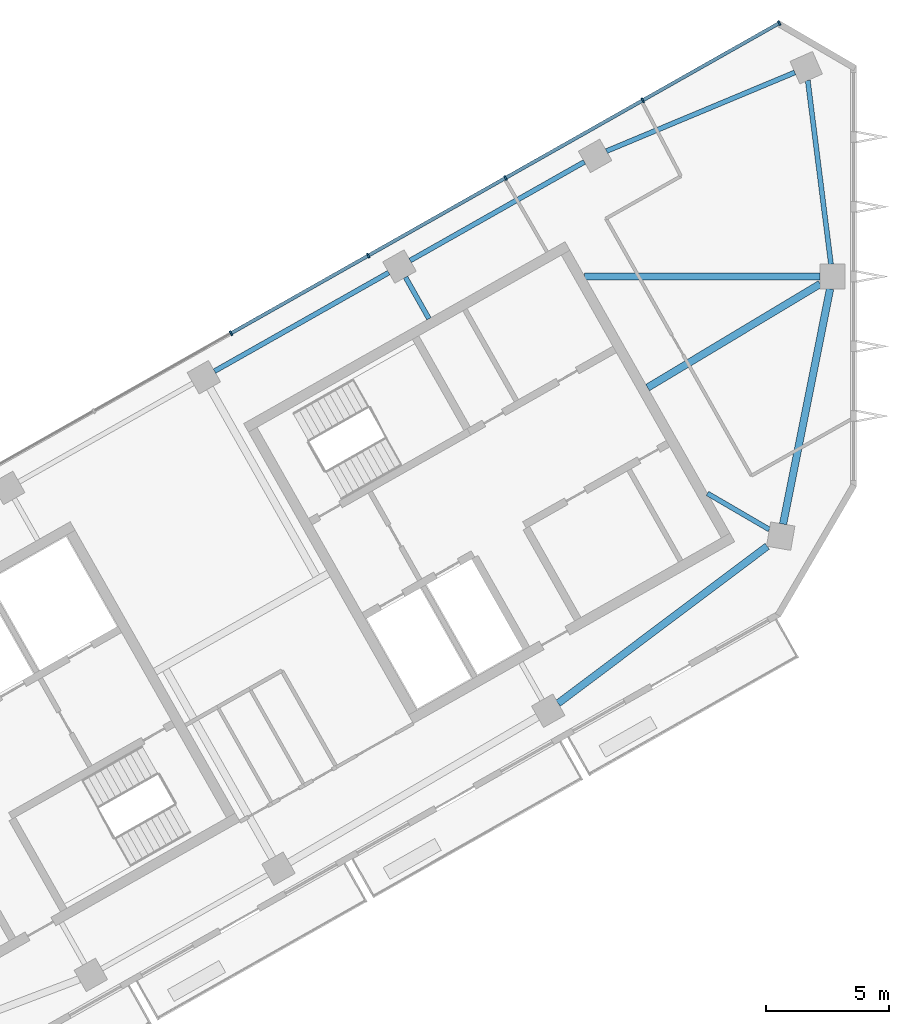
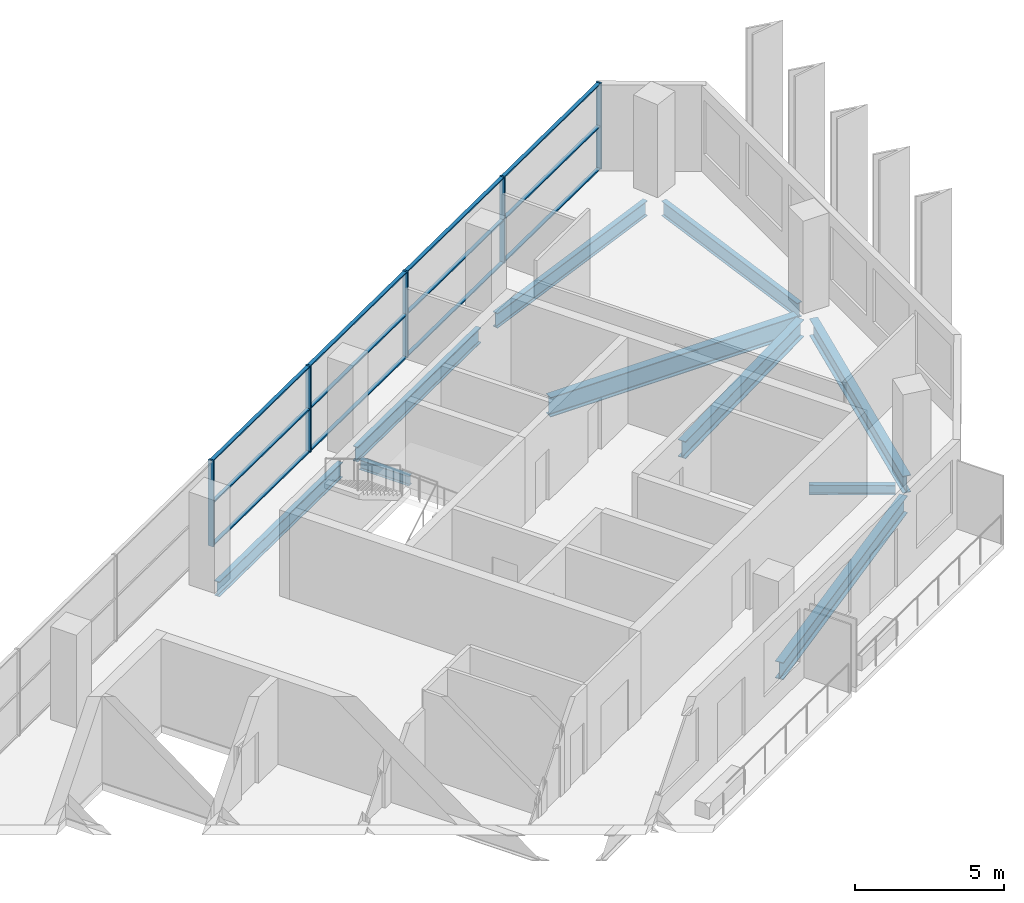
# One storey, part 4 of 10: 17 members, 10 beams, 1 element without a shape of its own.
"""IFC4 building model written with IfcOpenShell, lengths in metres."""

import ifcopenshell
import ifcopenshell.guid

model = None  # the IFC model being written
_history = None  # IfcOwnerHistory: only IFC2X3 demands one
_inside = {}  # id of a spatial element -> (the spatial element, [elements in it])
_under = {}  # id of a project, library or spatial element -> (it, [spatial elements below it])
_declared = {}  # id of a project -> (the project, [libraries it declares])
_typed = {}  # id of a type object -> (the type object, [elements of that type])
_made_of = {}  # id of a material, layer set ... -> (it, [elements and type objects made of it])


def new_model(schema):
    """Start an empty IFC model of exactly this schema.

    Asked for "IFC4X3", IfcOpenShell would pick the latest addendum, in which some entities
    have other attributes; the version numbers below select the first issue.
    IFC2X3 requires an IfcOwnerHistory on every rooted entity: one is made here for all.
    """
    global model, _history
    if schema == "IFC4X3":
        model = ifcopenshell.file(schema_version=(4, 3, 0, 0))
    else:
        model = ifcopenshell.file(schema=schema)
    _inside.clear()
    _under.clear()
    _declared.clear()
    _typed.clear()
    _made_of.clear()
    _history = None
    if model.schema == "IFC2X3":
        org = make("IfcOrganization", Name="unknown")
        user = make(
            "IfcPersonAndOrganization",
            ThePerson=make("IfcPerson", FamilyName="unknown"),
            TheOrganization=org,
        )
        app = make(
            "IfcApplication",
            ApplicationDeveloper=org,
            Version="unknown",
            ApplicationFullName="unknown",
            ApplicationIdentifier="unknown",
        )
        _history = make(
            "IfcOwnerHistory",
            OwningUser=user,
            OwningApplication=app,
            ChangeAction="ADDED",
            CreationDate=0,
        )
    return model


def make(cls, **values):
    """One entity of the class cls with the attributes given. An attribute that is None is left unset."""
    return model.create_entity(
        cls, **{name: value for name, value in values.items() if value is not None}
    )


def rooted(cls, **values):
    """An entity with a GlobalId (a new one), such as an element, a storey or a relation."""
    return make(cls, GlobalId=ifcopenshell.guid.new(), OwnerHistory=_history, **values)


def si_unit(unit_type, name, prefix=None):
    """IfcSIUnit, for example si_unit("LENGTHUNIT", "METRE", prefix="MILLI")."""
    return make("IfcSIUnit", UnitType=unit_type, Prefix=prefix, Name=name)


def assignment(units):
    """IfcUnitAssignment: the units of a project."""
    return None if units is None else make("IfcUnitAssignment", Units=units)


def point(xyz):
    """IfcCartesianPoint."""
    return None if xyz is None else make("IfcCartesianPoint", Coordinates=xyz)


def direction(xyz):
    """IfcDirection."""
    return None if xyz is None else make("IfcDirection", DirectionRatios=xyz)


def frame(location, z_axis=None, x_axis=None):
    """IfcAxis2Placement3D, a coordinate frame: its origin and axes. An axis left out is left unset."""
    return make(
        "IfcAxis2Placement3D",
        Location=point(location),
        Axis=direction(z_axis),
        RefDirection=direction(x_axis),
    )


def frame_2d(location, x_axis=None):
    """IfcAxis2Placement2D, a coordinate frame in the plane: its origin and x axis."""
    return make(
        "IfcAxis2Placement2D", Location=point(location), RefDirection=direction(x_axis)
    )


def origin():
    """The frame at (0, 0, 0) with its axes left unset."""
    return frame((0.0, 0.0, 0.0))


def origin_2d():
    """The frame at (0, 0) in the plane with its x axis left unset."""
    return frame_2d((0.0, 0.0))


def place(relative_to, where):
    """IfcLocalPlacement: puts the frame where relative to a parent placement (None: the world)."""
    return make(
        "IfcLocalPlacement", PlacementRelTo=relative_to, RelativePlacement=where
    )


def context(
    kind, dimensions, precision=None, world=None, true_north=None, identifier=None
):
    """IfcGeometricRepresentationContext, for example the 3D "Model" context."""
    return make(
        "IfcGeometricRepresentationContext",
        ContextIdentifier=identifier,
        ContextType=kind,
        CoordinateSpaceDimension=dimensions,
        Precision=precision,
        WorldCoordinateSystem=world,
        TrueNorth=true_north,
    )


def subcontext(parent, identifier, kind, view, scale=None):
    """IfcGeometricRepresentationSubContext, for example "Body" below "Model"."""
    return make(
        "IfcGeometricRepresentationSubContext",
        ContextIdentifier=identifier,
        ContextType=kind,
        ParentContext=parent,
        TargetScale=scale,
        TargetView=view,
    )


def project(units=None, contexts=None):
    """IfcProject with its units and contexts."""
    return rooted(
        "IfcProject",
        Name="project",
        RepresentationContexts=contexts,
        UnitsInContext=assignment(units),
    )


def spatial(cls, under=None, at=None, **own):
    """A site, building, storey or space (cls), placed at a placement, below another one or the project."""
    s = rooted(cls, ObjectPlacement=at, **own)
    if under is not None:
        _under.setdefault(under.id(), (under, []))[1].append(s)
    return s


def profile(cls, at=None, kind="AREA", **sizes):
    """A parametric profile (cls). Its sizes go by their IFC names, for example OverallWidth=200.0."""
    return make(cls, ProfileType=kind, Position=at, **sizes)


def rectangle(**sizes):
    """IfcRectangleProfileDef."""
    return profile("IfcRectangleProfileDef", **sizes)


def i_section(**sizes):
    """IfcIShapeProfileDef."""
    return profile("IfcIShapeProfileDef", **sizes)


def extrude(swept, where, along, depth):
    """IfcExtrudedAreaSolid: the profile swept, set in the frame where, extruded along a direction by depth."""
    return make(
        "IfcExtrudedAreaSolid",
        SweptArea=swept,
        Position=where,
        ExtrudedDirection=direction(along),
        Depth=depth,
    )


def shape(context_of_items, identifier, shape_type, items):
    """IfcShapeRepresentation: the items that make up one representation, for example the "Body"."""
    return make(
        "IfcShapeRepresentation",
        ContextOfItems=context_of_items,
        RepresentationIdentifier=identifier,
        RepresentationType=shape_type,
        Items=items,
    )


def material(Name=None, Category=None):
    """IfcMaterial."""
    return make("IfcMaterial", Name=Name, Category=Category)


def material_profile(
    of_material, cross_section, Name=None, Category=None, Priority=None
):
    """IfcMaterialProfile: a cross section and its material."""
    return make(
        "IfcMaterialProfile",
        Name=Name,
        Material=of_material,
        Profile=cross_section,
        Priority=Priority,
        Category=Category,
    )


def profile_set(profiles, Name=None, composite=None):
    """IfcMaterialProfileSet."""
    return make(
        "IfcMaterialProfileSet",
        Name=Name,
        MaterialProfiles=profiles,
        CompositeProfile=composite,
    )


def made_of(thing, what):
    """Note that an element or type object is made of a material, layer set ...; save() writes the relation."""
    if what is not None:
        _made_of.setdefault(what.id(), (what, []))[1].append(thing)
    return thing


def type_object(cls, material=None, **own):
    """A type object (cls), such as IfcWallType, which elements share."""
    return made_of(rooted(cls, **own), material)


def element(
    cls,
    number,
    at=None,
    inside=None,
    cuts=None,
    type_object=None,
    material=None,
    context=None,
    identifier="Body",
    shape_type=None,
    held_by="IfcProductDefinitionShape",
    body=None,
    shapes=None,
    **own,
):
    """One element of the class cls, such as IfcWall. Its Tag is "e" and its number.

    at: its placement. inside: the storey or other place that contains it. cuts: it is an
    opening in that element (IfcRelVoidsElement). A single representation is given by context,
    identifier, shape_type and body (its items); several are given by shapes. held_by: the class
    of the entity that holds the representations. save() writes the other relations.
    """
    e = rooted(cls, Tag="e%d" % number, ObjectPlacement=at, **own)
    if body is not None:
        shapes = [shape(context, identifier, shape_type, body)]
    if shapes is not None:
        e.Representation = make(held_by, Representations=shapes)
    if inside is not None:
        _inside.setdefault(inside.id(), (inside, []))[1].append(e)
    if cuts is not None:
        rooted(
            "IfcRelVoidsElement", RelatingBuildingElement=cuts, RelatedOpeningElement=e
        )
    if type_object is not None:
        _typed.setdefault(type_object.id(), (type_object, []))[1].append(e)
    return made_of(e, material)


def aggregate(whole, parts):
    """IfcRelAggregates: a whole, such as a stair, and the parts it consists of."""
    return rooted("IfcRelAggregates", RelatingObject=whole, RelatedObjects=parts)


def save(model, path):
    """Write the relations noted so far, then the file.

    IfcRelAggregates (storeys below a building ...), IfcRelContainedInSpatialStructure (elements
    in a storey), IfcRelDefinesByType, IfcRelAssociatesMaterial and IfcRelDeclares: one each for
    every whole, place, type object, material and project.
    """
    for whole, parts in _under.values():
        aggregate(whole, parts)
    for where, things in _inside.values():
        rooted(
            "IfcRelContainedInSpatialStructure",
            RelatedElements=things,
            RelatingStructure=where,
        )
    for kind, things in _typed.values():
        rooted("IfcRelDefinesByType", RelatedObjects=things, RelatingType=kind)
    for what, things in _made_of.values():
        rooted("IfcRelAssociatesMaterial", RelatedObjects=things, RelatingMaterial=what)
    for by, libraries in _declared.values():
        rooted("IfcRelDeclares", RelatingContext=by, RelatedDefinitions=libraries)
    model.write(path)


model = new_model("IFC4")

# Units and contexts
model_context = context("Model", 3, precision=1e-05, world=origin(), true_north=direction((0.0, 1.0)))
body_context = subcontext(model_context, "Body", "Model", "MODEL_VIEW")
ifc_project = project(units=[si_unit("LENGTHUNIT", "METRE"), si_unit("AREAUNIT", "SQUARE_METRE"), si_unit("VOLUMEUNIT", "CUBIC_METRE"), si_unit("PLANEANGLEUNIT", "RADIAN"), si_unit("MASSUNIT", "GRAM", prefix="KILO")], contexts=[model_context])

# Site, building, storey
site_placement = place(None, origin())
site = spatial("IfcSite", under=ifc_project, at=site_placement, CompositionType="ELEMENT")
building_placement = place(site_placement, origin())
building = spatial("IfcBuilding", under=site, at=building_placement, Name="Binnacle Exchange Tower", CompositionType="ELEMENT")
storey_placement = place(building_placement, frame((0.0, 0.0, 324.10009765625)))
storey = spatial("IfcBuildingStorey", under=building, at=storey_placement, Name="L73", CompositionType="ELEMENT", Elevation=324.10009765625)

# Curtain wall, members
ifc_material_1 = material(Name="Bronze anodised aluminium frame", Category="aluminium")
curtain_wall_type = type_object("IfcCurtainWallType", Name="External wall - curtain wall executive floors", PredefinedType="NOTDEFINED", material=ifc_material_1)
curtain_wall_placement = place(storey_placement, origin())
curtain_wall = element("IfcCurtainWall", 1, at=curtain_wall_placement, inside=storey, type_object=curtain_wall_type, Name="External wall curtain wall CW4-H03 L73", PredefinedType="NOTDEFINED")
ifc_material_profile_1 = material_profile(ifc_material_1, rectangle(XDim=0.199951171875, YDim=0.070068359375, at=origin_2d()), Name="AL 70x200")
ifc_profile_set_1 = profile_set([ifc_material_profile_1], Name="Bronze anodised aluminium frame")
member_type_1 = type_object("IfcMemberType", Name="CW4 MULLION 70x200", PredefinedType="MULLION", material=ifc_profile_set_1)
member_1_placement = place(storey_placement, frame((-3.01416015625, 70.294677734375, 0.0), z_axis=(0.0, 0.0, 1.0), x_axis=(0.492423763019, -0.870355581136, 0.0)))
member_1 = element("IfcMember", 2, at=member_1_placement, type_object=member_type_1, Name="CW4-H03 mullion 1", PredefinedType="MULLION", context=body_context, shape_type="SweptSolid", body=[
    extrude(rectangle(XDim=0.199951171875, YDim=0.070068359375, at=origin_2d()), origin(), (0.0, 0.0, 1.0), 3.52001953125),
])
member_2_placement = place(storey_placement, frame((-8.55859375, 67.15771484375, 0.0), z_axis=(0.0, 0.0, 1.0), x_axis=(0.492423763019, -0.870355581136, 0.0)))
member_2 = element("IfcMember", 3, at=member_2_placement, type_object=member_type_1, Name="CW4-H03 mullion 2", PredefinedType="MULLION", context=body_context, shape_type="SweptSolid", body=[
    extrude(rectangle(XDim=0.199951171875, YDim=0.070068359375, at=origin_2d()), origin(), (0.0, 0.0, 1.0), 3.52001953125),
])
member_3_placement = place(storey_placement, frame((-14.13330078125, 64.003662109375, 0.0), z_axis=(0.0, 0.0, 1.0), x_axis=(0.492423763019, -0.870355581136, 0.0)))
member_3 = element("IfcMember", 4, at=member_3_placement, type_object=member_type_1, Name="CW4-H03 mullion 3", PredefinedType="MULLION", context=body_context, shape_type="SweptSolid", body=[
    extrude(rectangle(XDim=0.199951171875, YDim=0.070068359375, at=origin_2d()), origin(), (0.0, 0.0, 1.0), 3.52001953125),
])
member_4_placement = place(storey_placement, frame((-19.708251953125, 60.849609375, 0.0), z_axis=(0.0, 0.0, 1.0), x_axis=(0.492423763019, -0.870355581136, 0.0)))
member_4 = element("IfcMember", 5, at=member_4_placement, type_object=member_type_1, Name="CW4-H03 mullion 4", PredefinedType="MULLION", context=body_context, shape_type="SweptSolid", body=[
    extrude(rectangle(XDim=0.199951171875, YDim=0.070068359375, at=origin_2d()), origin(), (0.0, 0.0, 1.0), 3.52001953125),
])
member_5_placement = place(storey_placement, frame((-25.283203125, 57.695556640625, 0.0), z_axis=(0.0, 0.0, 1.0), x_axis=(0.492423763019, -0.870355581136, 0.0)))
member_5 = element("IfcMember", 6, at=member_5_placement, type_object=member_type_1, Name="CW4-H03 mullion 5", PredefinedType="MULLION", context=body_context, shape_type="SweptSolid", body=[
    extrude(rectangle(XDim=0.199951171875, YDim=0.070068359375, at=origin_2d()), origin(), (0.0, 0.0, 1.0), 3.52001953125),
])
ifc_material_profile_2 = material_profile(ifc_material_1, rectangle(XDim=0.139892578125, YDim=0.050048828125, at=origin_2d()), Name="AL 140x50")
ifc_profile_set_2 = profile_set([ifc_material_profile_2], Name="Bronze anodised aluminium frame")
member_type_2 = type_object("IfcMemberType", Name="CW4 TRANSOM 50x140", PredefinedType="USERDEFINED", material=ifc_profile_set_2)
member_6_placement = place(storey_placement, frame((-3.044677734375, 70.27734375, 0.02490234375), z_axis=(-0.870359957561, -0.492416027637, 0.0), x_axis=(0.492416027637, -0.870359957561, 0.0)))
member_6 = element("IfcMember", 7, at=member_6_placement, type_object=member_type_2, Name="CW4-H03 transom 1.1", ObjectType="TRANSOM", PredefinedType="USERDEFINED", context=body_context, shape_type="SweptSolid", body=[
    extrude(rectangle(XDim=0.139892578125, YDim=0.050048828125, at=origin_2d()), origin(), (0.0, 0.0, 1.0), 6.300048828125),
])
member_7_placement = place(storey_placement, frame((-3.044677734375, 70.27734375, 1.760009765625), z_axis=(-0.870359957561, -0.492416027637, 0.0), x_axis=(0.492416027637, -0.870359957561, 0.0)))
member_7 = element("IfcMember", 8, at=member_7_placement, type_object=member_type_2, Name="CW4-H03 transom 1.2", ObjectType="TRANSOM", PredefinedType="USERDEFINED", context=body_context, shape_type="SweptSolid", body=[
    extrude(rectangle(XDim=0.139892578125, YDim=0.050048828125, at=origin_2d()), origin(), (0.0, 0.0, 1.0), 6.300048828125),
])
member_8_placement = place(storey_placement, frame((-3.044677734375, 70.27734375, 3.494873046875), z_axis=(-0.870359957561, -0.492416027637, 0.0), x_axis=(0.492416027637, -0.870359957561, 0.0)))
member_8 = element("IfcMember", 9, at=member_8_placement, type_object=member_type_2, Name="CW4-H03 transom 1.3", ObjectType="TRANSOM", PredefinedType="USERDEFINED", context=body_context, shape_type="SweptSolid", body=[
    extrude(rectangle(XDim=0.139892578125, YDim=0.050048828125, at=origin_2d()), origin(), (0.0, 0.0, 1.0), 6.300048828125),
])
member_9_placement = place(storey_placement, frame((-8.589111328125, 67.140625, 0.02490234375), z_axis=(-0.870355335808, -0.492424196633, 0.0), x_axis=(0.492424196633, -0.870355335808, 0.0)))
member_9 = element("IfcMember", 10, at=member_9_placement, type_object=member_type_2, Name="CW4-H03 transom 2.1", ObjectType="TRANSOM", PredefinedType="USERDEFINED", context=body_context, shape_type="SweptSolid", body=[
    extrude(rectangle(XDim=0.139892578125, YDim=0.050048828125, at=origin_2d()), origin(), (0.0, 0.0, 1.0), 6.335205078125),
])
member_10_placement = place(storey_placement, frame((-8.589111328125, 67.140625, 1.760009765625), z_axis=(-0.870355335808, -0.492424196633, 0.0), x_axis=(0.492424196633, -0.870355335808, 0.0)))
member_10 = element("IfcMember", 11, at=member_10_placement, type_object=member_type_2, Name="CW4-H03 transom 2.2", ObjectType="TRANSOM", PredefinedType="USERDEFINED", context=body_context, shape_type="SweptSolid", body=[
    extrude(rectangle(XDim=0.139892578125, YDim=0.050048828125, at=origin_2d()), origin(), (0.0, 0.0, 1.0), 6.335205078125),
])
member_11_placement = place(storey_placement, frame((-8.589111328125, 67.140625, 3.494873046875), z_axis=(-0.870355335808, -0.492424196633, 0.0), x_axis=(0.492424196633, -0.870355335808, 0.0)))
member_11 = element("IfcMember", 12, at=member_11_placement, type_object=member_type_2, Name="CW4-H03 transom 2.3", ObjectType="TRANSOM", PredefinedType="USERDEFINED", context=body_context, shape_type="SweptSolid", body=[
    extrude(rectangle(XDim=0.139892578125, YDim=0.050048828125, at=origin_2d()), origin(), (0.0, 0.0, 1.0), 6.335205078125),
])
member_12_placement = place(storey_placement, frame((-14.163818359375, 63.986328125, 0.02490234375), z_axis=(-0.870355335808, -0.492424196633, 0.0), x_axis=(0.492424196633, -0.870355335808, 0.0)))
member_12 = element("IfcMember", 13, at=member_12_placement, type_object=member_type_2, Name="CW4-H03 transom 3.1", ObjectType="TRANSOM", PredefinedType="USERDEFINED", context=body_context, shape_type="SweptSolid", body=[
    extrude(rectangle(XDim=0.139892578125, YDim=0.050048828125, at=origin_2d()), origin(), (0.0, 0.0, 1.0), 6.335205078125),
])
member_13_placement = place(storey_placement, frame((-14.163818359375, 63.986328125, 1.760009765625), z_axis=(-0.870355335808, -0.492424196633, 0.0), x_axis=(0.492424196633, -0.870355335808, 0.0)))
member_13 = element("IfcMember", 14, at=member_13_placement, type_object=member_type_2, Name="CW4-H03 transom 3.2", ObjectType="TRANSOM", PredefinedType="USERDEFINED", context=body_context, shape_type="SweptSolid", body=[
    extrude(rectangle(XDim=0.139892578125, YDim=0.050048828125, at=origin_2d()), origin(), (0.0, 0.0, 1.0), 6.335205078125),
])
member_14_placement = place(storey_placement, frame((-14.163818359375, 63.986328125, 3.494873046875), z_axis=(-0.870355335808, -0.492424196633, 0.0), x_axis=(0.492424196633, -0.870355335808, 0.0)))
member_14 = element("IfcMember", 15, at=member_14_placement, type_object=member_type_2, Name="CW4-H03 transom 3.3", ObjectType="TRANSOM", PredefinedType="USERDEFINED", context=body_context, shape_type="SweptSolid", body=[
    extrude(rectangle(XDim=0.139892578125, YDim=0.050048828125, at=origin_2d()), origin(), (0.0, 0.0, 1.0), 6.335205078125),
])
member_15_placement = place(storey_placement, frame((-19.73876953125, 60.832275390625, 0.02490234375), z_axis=(-0.870355335808, -0.492424196633, 0.0), x_axis=(0.492424196633, -0.870355335808, 0.0)))
member_15 = element("IfcMember", 16, at=member_15_placement, type_object=member_type_2, Name="CW4-H03 transom 4.1", ObjectType="TRANSOM", PredefinedType="USERDEFINED", context=body_context, shape_type="SweptSolid", body=[
    extrude(rectangle(XDim=0.139892578125, YDim=0.050048828125, at=origin_2d()), origin(), (0.0, 0.0, 1.0), 6.335205078125),
])
member_16_placement = place(storey_placement, frame((-19.73876953125, 60.832275390625, 1.760009765625), z_axis=(-0.870355335808, -0.492424196633, 0.0), x_axis=(0.492424196633, -0.870355335808, 0.0)))
member_16 = element("IfcMember", 17, at=member_16_placement, type_object=member_type_2, Name="CW4-H03 transom 4.2", ObjectType="TRANSOM", PredefinedType="USERDEFINED", context=body_context, shape_type="SweptSolid", body=[
    extrude(rectangle(XDim=0.139892578125, YDim=0.050048828125, at=origin_2d()), origin(), (0.0, 0.0, 1.0), 6.335205078125),
])
member_17_placement = place(storey_placement, frame((-19.73876953125, 60.832275390625, 3.494873046875), z_axis=(-0.870355335808, -0.492424196633, 0.0), x_axis=(0.492424196633, -0.870355335808, 0.0)))
member_17 = element("IfcMember", 18, at=member_17_placement, type_object=member_type_2, Name="CW4-H03 transom 4.3", ObjectType="TRANSOM", PredefinedType="USERDEFINED", context=body_context, shape_type="SweptSolid", body=[
    extrude(rectangle(XDim=0.139892578125, YDim=0.050048828125, at=origin_2d()), origin(), (0.0, 0.0, 1.0), 6.335205078125),
])
aggregate(curtain_wall, [member_1, member_2, member_3, member_4, member_5, member_6, member_7, member_8, member_9, member_10, member_11, member_12, member_13, member_14, member_15, member_16, member_17])

# Beams
ifc_material_2 = material(Name="Steel S355 (SHN355)", Category="steel")
ifc_material_profile_3 = material_profile(ifc_material_2, i_section(OverallWidth=0.200927734375, OverallDepth=0.60595703125, WebThickness=0.011962890625, FlangeThickness=0.02001953125, FilletRadius=0.02197265625, at=origin_2d()), Name="H 606x201x12x20")
ifc_profile_set_3 = profile_set([ifc_material_profile_3], Name="Steel S355 (SHN355)")
beam_type_1 = type_object("IfcBeamType", Name="Edge girder H 606x201x12x20 Steel S355 (SHN355)", PredefinedType="SPANDREL", material=ifc_profile_set_3)
beam_1_placement = place(storey_placement, frame((-0.9130859375, 60.5, -0.5830078125), z_axis=(-0.125172722987, 0.992134965325, 0.0), x_axis=(-0.992134965325, -0.125172722987, 0.0)))
element("IfcBeam", 19, at=beam_1_placement, inside=storey, type_object=beam_type_1, Name="S:BM:edge:L73:018", PredefinedType="SPANDREL", context=body_context, shape_type="SweptSolid", body=[
    extrude(i_section(OverallWidth=0.200927734375, OverallDepth=0.60595703125, WebThickness=0.011962890625, FlangeThickness=0.02001953125, FilletRadius=0.02197265625, at=origin_2d()), origin(), (0.0, 0.0, 1.0), 7.524658203125),
])
ifc_material_profile_4 = material_profile(ifc_material_2, i_section(OverallWidth=0.201904296875, OverallDepth=0.612060546875, WebThickness=0.012939453125, FlangeThickness=0.02294921875, FilletRadius=0.02197265625, at=origin_2d()), Name="H 612x202x13x23")
ifc_profile_set_4 = profile_set([ifc_material_profile_4], Name="Steel S355 (SHN355)")
beam_type_2 = type_object("IfcBeamType", Name="Edge girder H 612x202x13x23 Steel S355 (SHN355)", PredefinedType="SPANDREL", material=ifc_profile_set_4)
beam_2_placement = place(storey_placement, frame((-18.87646484375, 60.159912109375, -0.586181640625), z_axis=(-0.870353024448, -0.49242828192, 0.0), x_axis=(0.49242828192, -0.870353024448, 0.0)))
element("IfcBeam", 20, at=beam_2_placement, inside=storey, type_object=beam_type_2, Name="S:BM:edge:L73:013", PredefinedType="SPANDREL", context=body_context, shape_type="SweptSolid", body=[
    extrude(i_section(OverallWidth=0.201904296875, OverallDepth=0.612060546875, WebThickness=0.012939453125, FlangeThickness=0.02294921875, FilletRadius=0.02197265625, at=origin_2d()), origin(), (0.0, 0.0, 1.0), 8.1298828125),
])
beam_3_placement = place(storey_placement, frame((-10.930419921875, 64.655517578125, -0.586181640625), z_axis=(-0.870345742373, -0.492441152558, 0.0), x_axis=(0.492441152558, -0.870345742373, 0.0)))
element("IfcBeam", 21, at=beam_3_placement, inside=storey, type_object=beam_type_2, Name="S:BM:edge:L73:015", PredefinedType="SPANDREL", context=body_context, shape_type="SweptSolid", body=[
    extrude(i_section(OverallWidth=0.201904296875, OverallDepth=0.612060546875, WebThickness=0.012939453125, FlangeThickness=0.02294921875, FilletRadius=0.02197265625, at=origin_2d()), origin(), (0.0, 0.0, 1.0), 8.129638671875),
])
beam_4_placement = place(storey_placement, frame((-2.381591796875, 68.29052734375, -0.586181640625), z_axis=(-0.922743712975, -0.385414115161, 0.0), x_axis=(0.385414115161, -0.922743712975, 0.0)))
element("IfcBeam", 22, at=beam_4_placement, inside=storey, type_object=beam_type_2, Name="S:BM:edge:L73:017", PredefinedType="SPANDREL", context=body_context, shape_type="SweptSolid", body=[
    extrude(i_section(OverallWidth=0.201904296875, OverallDepth=0.612060546875, WebThickness=0.012939453125, FlangeThickness=0.02294921875, FilletRadius=0.02197265625, at=origin_2d()), origin(), (0.0, 0.0, 1.0), 8.289306640625),
])
ifc_material_profile_5 = material_profile(ifc_material_2, i_section(OverallWidth=0.300048828125, OverallDepth=0.699951171875, WebThickness=0.012939453125, FlangeThickness=0.02392578125, FilletRadius=0.028076171875, at=origin_2d()), Name="H 700x300x13x24")
ifc_profile_set_5 = profile_set([ifc_material_profile_5], Name="Steel S355 (SHN355)")
beam_type_3 = type_object("IfcBeamType", Name="Edge girder H 700x300x13x24 Steel S355 (SHN355)", PredefinedType="SPANDREL", material=ifc_profile_set_5)
beam_5_placement = place(storey_placement, frame((-11.996826171875, 42.666015625, -0.630126953125), z_axis=(0.799641252976, 0.600478031687, 0.0), x_axis=(-0.600478031687, 0.799641252976, 0.0)))
element("IfcBeam", 23, at=beam_5_placement, inside=storey, type_object=beam_type_3, Name="S:BM:edge:L73:014", PredefinedType="SPANDREL", context=body_context, shape_type="SweptSolid", body=[
    extrude(i_section(OverallWidth=0.300048828125, OverallDepth=0.699951171875, WebThickness=0.012939453125, FlangeThickness=0.02392578125, FilletRadius=0.028076171875, at=origin_2d()), origin(), (0.0, 0.0, 1.0), 10.62060546875),
])
beam_6_placement = place(storey_placement, frame((-2.857421875, 49.946044921875, -0.630126953125), z_axis=(0.195812523993, 0.98064134904, 0.0), x_axis=(-0.98064134904, 0.195812523993, 0.0)))
element("IfcBeam", 24, at=beam_6_placement, inside=storey, type_object=beam_type_3, Name="S:BM:edge:L73:016", PredefinedType="SPANDREL", context=body_context, shape_type="SweptSolid", body=[
    extrude(i_section(OverallWidth=0.300048828125, OverallDepth=0.699951171875, WebThickness=0.012939453125, FlangeThickness=0.02392578125, FilletRadius=0.028076171875, at=origin_2d()), origin(), (0.0, 0.0, 1.0), 9.74267578125),
])
ifc_material_profile_6 = material_profile(ifc_material_2, i_section(OverallWidth=0.199951171875, OverallDepth=0.39990234375, WebThickness=0.008056640625, FlangeThickness=0.012939453125, FilletRadius=0.01611328125, at=origin_2d()), Name="H 400x200x8x13")
ifc_profile_set_6 = profile_set([ifc_material_profile_6], Name="Steel S355 (SHN355)")
beam_type_4 = type_object("IfcBeamType", Name="Floor beam H 400x200x8x13 Steel S355 (SHN355)", PredefinedType="BEAM", material=ifc_profile_set_6)
beam_7_placement = place(storey_placement, frame((-18.195068359375, 59.970703125, -0.47998046875), z_axis=(0.492423244016, -0.870355874773, 0.0), x_axis=(0.870355874773, 0.492423244016, 0.0)))
element("IfcBeam", 25, at=beam_7_placement, inside=storey, type_object=beam_type_4, Name="S:BM:cross:L73:026", PredefinedType="BEAM", context=body_context, shape_type="SweptSolid", body=[
    extrude(i_section(OverallWidth=0.199951171875, OverallDepth=0.39990234375, WebThickness=0.008056640625, FlangeThickness=0.012939453125, FilletRadius=0.01611328125, at=origin_2d()), origin(), (0.0, 0.0, 1.0), 1.93408203125),
])
beam_8_placement = place(storey_placement, frame((-3.416259765625, 49.72412109375, -0.47998046875), z_axis=(-0.86381235495, 0.503813671346, 0.0), x_axis=(-0.503813671346, -0.86381235495, 0.0)))
element("IfcBeam", 26, at=beam_8_placement, inside=storey, type_object=beam_type_4, Name="S:BM:cross:L73:028", PredefinedType="BEAM", context=body_context, shape_type="SweptSolid", body=[
    extrude(i_section(OverallWidth=0.199951171875, OverallDepth=0.39990234375, WebThickness=0.008056640625, FlangeThickness=0.012939453125, FilletRadius=0.01611328125, at=origin_2d()), origin(), (0.0, 0.0, 1.0), 2.911376953125),
])
ifc_material_profile_7 = material_profile(ifc_material_2, i_section(OverallWidth=0.300048828125, OverallDepth=0.800048828125, WebThickness=0.013916015625, FlangeThickness=0.02587890625, FilletRadius=0.028076171875, at=origin_2d()), Name="H 800x300x14x26")
ifc_profile_set_7 = profile_set([ifc_material_profile_7], Name="Steel S355 (SHN355)")
beam_type_5 = type_object("IfcBeamType", Name="Floor beam H 800x300x14x26 Steel S355 (SHN355)", PredefinedType="BEAM", material=ifc_profile_set_7)
beam_9_placement = place(storey_placement, frame((-1.35009765625, 60.0, -0.68017578125), z_axis=(-1.0, 0.0, 0.0), x_axis=(0.0, -1.0, 0.0)))
element("IfcBeam", 27, at=beam_9_placement, inside=storey, type_object=beam_type_5, Name="S:BM:cross:L73:029", PredefinedType="BEAM", context=body_context, shape_type="SweptSolid", body=[
    extrude(i_section(OverallWidth=0.300048828125, OverallDepth=0.800048828125, WebThickness=0.013916015625, FlangeThickness=0.02587890625, FilletRadius=0.028076171875, at=origin_2d()), origin(), (0.0, 0.0, 1.0), 9.56494140625),
])
ifc_material_profile_8 = material_profile(ifc_material_2, i_section(OverallWidth=0.300048828125, OverallDepth=0.699951171875, WebThickness=0.012939453125, FlangeThickness=0.02392578125, FilletRadius=0.028076171875, at=origin_2d()), Name="H 700x300x13x24")
ifc_profile_set_8 = profile_set([ifc_material_profile_8], Name="Steel S355 (SHN355)")
beam_type_6 = type_object("IfcBeamType", Name="Spine girder H 700x300x13x24 Steel S355 (SHN355)", PredefinedType="BEAM", material=ifc_profile_set_8)
beam_10_placement = place(storey_placement, frame((-8.36328125, 55.489990234375, -0.630126953125), z_axis=(0.857382296764, 0.514680092091, 0.0), x_axis=(-0.514680092091, 0.857382296764, 0.0)))
element("IfcBeam", 28, at=beam_10_placement, inside=storey, type_object=beam_type_6, Name="S:BM:spine:L73:003", PredefinedType="BEAM", context=body_context, shape_type="SweptSolid", body=[
    extrude(i_section(OverallWidth=0.300048828125, OverallDepth=0.699951171875, WebThickness=0.012939453125, FlangeThickness=0.02392578125, FilletRadius=0.028076171875, at=origin_2d()), origin(), (0.0, 0.0, 1.0), 8.1796875),
])

save(model, "model.ifc")
